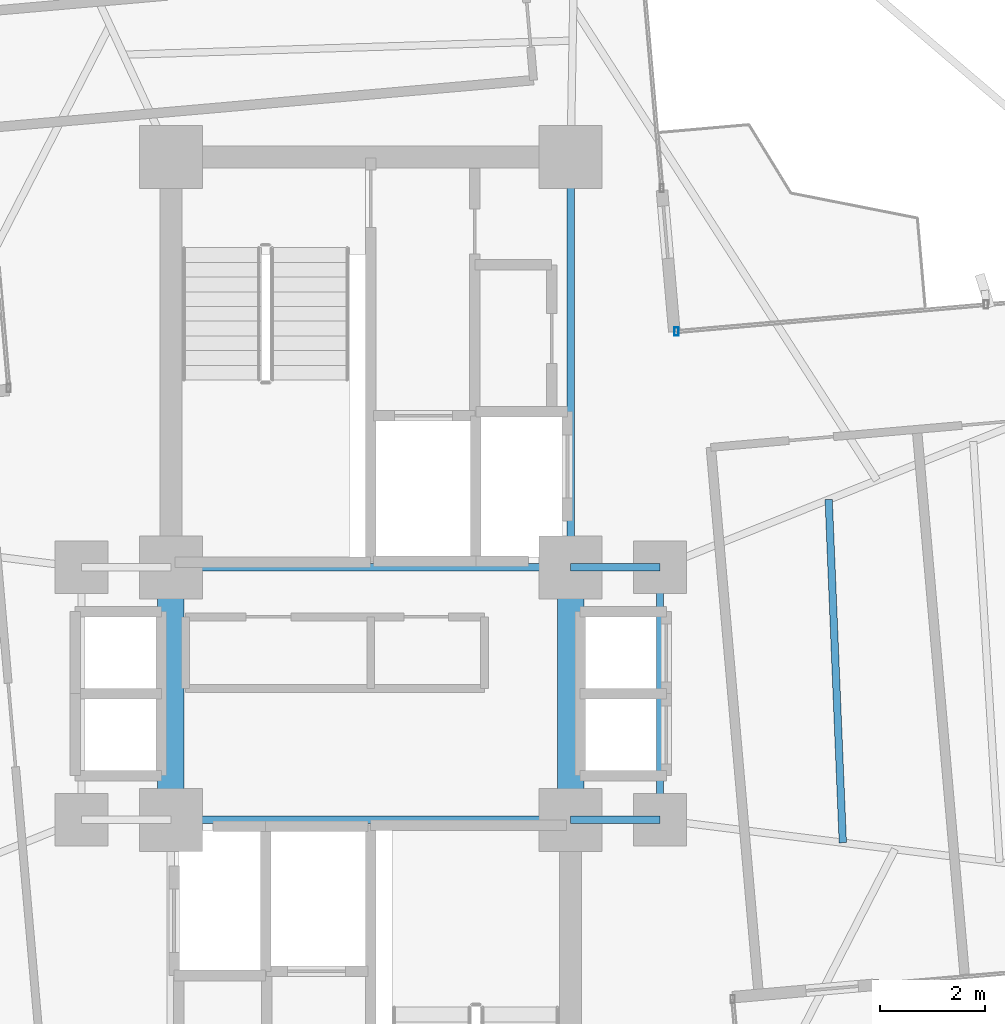
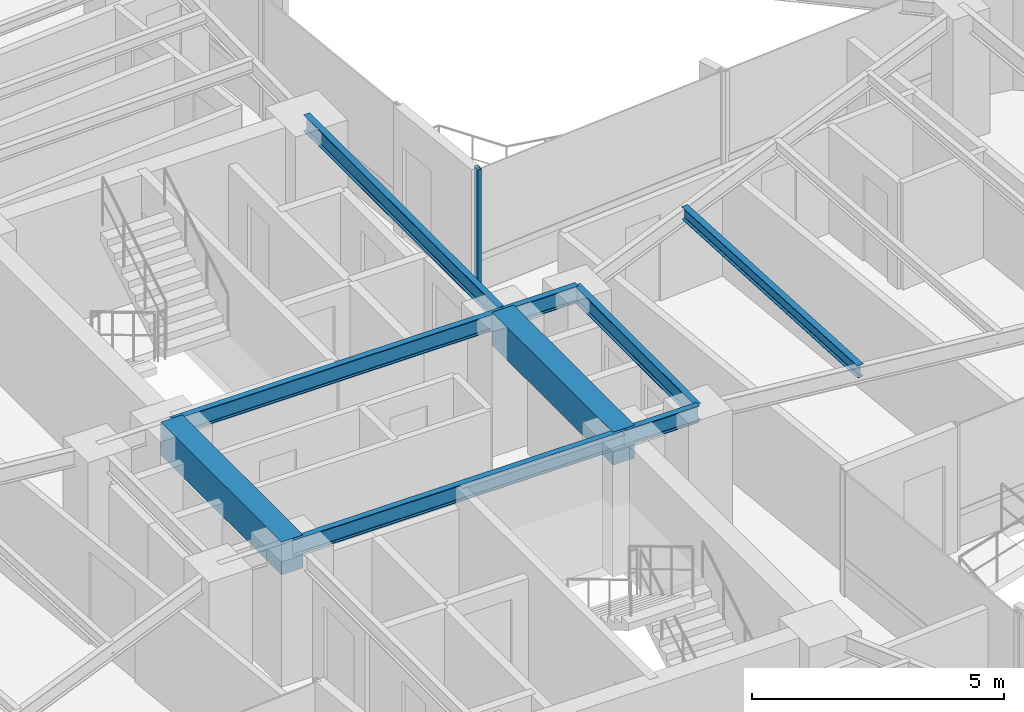
# One storey, part 11 of 24: 9 beams, 1 member, 1 element without a shape of its own.
"""IFC4 building model written with IfcOpenShell, lengths in metres."""

from ifc_helpers import new_model, si_unit, direction, frame, origin, origin_2d, place, context, subcontext, project, spatial, rectangle, hollow_rectangle, i_section, extrude, source, transform, mapped, material, material_profile, profile_set, type_object, element, aggregate, save


model = new_model("IFC4")

# Units and contexts
model_context = context("Model", 3, precision=1e-05, world=origin(), true_north=direction((0.0, 1.0)))
body_context = subcontext(model_context, "Body", "Model", "MODEL_VIEW")
ifc_project = project(units=[si_unit("LENGTHUNIT", "METRE"), si_unit("AREAUNIT", "SQUARE_METRE"), si_unit("VOLUMEUNIT", "CUBIC_METRE"), si_unit("PLANEANGLEUNIT", "RADIAN"), si_unit("MASSUNIT", "GRAM", prefix="KILO")], contexts=[model_context])

# Site, building, storey
site_placement = place(None, origin())
site = spatial("IfcSite", under=ifc_project, at=site_placement, CompositionType="ELEMENT")
building_placement = place(site_placement, origin())
building = spatial("IfcBuilding", under=site, at=building_placement, Name="Sahyath Konkavel Grand Hotel", CompositionType="ELEMENT")
storey_placement = place(building_placement, frame((0.0, 0.0, 198.64990234375)))
storey = spatial("IfcBuildingStorey", under=building, at=storey_placement, Name="L55", CompositionType="ELEMENT", Elevation=198.64990234375)

# Beams
ifc_material_1 = material(Name="Steel E350", Category="steel")
ifc_material_profile_1 = material_profile(ifc_material_1, i_section(OverallWidth=0.139892578125, OverallDepth=0.39990234375, WebThickness=0.0087890625, FlangeThickness=0.01611328125, FilletRadius=0.013916015625, at=origin_2d()), Name="ISMB 400")
ifc_profile_set_1 = profile_set([ifc_material_profile_1], Name="Steel E350")
beam_type_1 = type_object("IfcBeamType", Name="BM-ISMB400", PredefinedType="BEAM", material=ifc_profile_set_1)
shared_shape_1 = source(origin(), body_context, "Body", "SweptSolid", [
    extrude(i_section(OverallWidth=0.139892578125, OverallDepth=0.39990234375, WebThickness=0.0087890625, FlangeThickness=0.01611328125, FilletRadius=0.013916015625, at=origin_2d()), origin(), (0.0, 0.0, 1.0), 7.60009765625),
])
for number, where, z_axis, x_axis, name in (
    (1, (-3.800048828125, 2.39990234375, 2.830078125), (1.0, 0.0, 0.0), (0.0, 1.0, 0.0), "str:bm:L55:NC-S"),
    (2, (-3.800048828125, -2.39990234375, 2.830078125), (1.0, 0.0, 0.0), (0.0, 1.0, 0.0), "str:bm:L55:SC-N"),
):
    element("IfcBeam", number, at=place(storey_placement, frame(where, z_axis=z_axis, x_axis=x_axis)), inside=storey, type_object=beam_type_1, Name=name, PredefinedType="BEAM", context=body_context, shape_type="MappedRepresentation", body=[
        mapped(shared_shape_1, transform((0.0, 0.0, 0.0), scale=1.0)),
    ])
shared_shape_2 = source(origin(), body_context, "Body", "SweptSolid", [
    extrude(i_section(OverallWidth=0.139892578125, OverallDepth=0.39990234375, WebThickness=0.0087890625, FlangeThickness=0.01611328125, FilletRadius=0.013916015625, at=origin_2d()), origin(), (0.0, 0.0, 1.0), 7.800048828125),
])
beam_1_placement = place(storey_placement, frame((3.800048828125, 2.39990234375, 2.830078125), z_axis=(0.0, 1.0, 0.0), x_axis=(-1.0, 0.0, 0.0)))
element("IfcBeam", 3, at=beam_1_placement, inside=storey, type_object=beam_type_1, Name="str:bm:L55:NC-E", PredefinedType="BEAM", context=body_context, shape_type="MappedRepresentation", body=[
    mapped(shared_shape_2, transform((0.0, 0.0, 0.0), scale=1.0)),
])
shared_shape_3 = source(origin(), body_context, "Body", "SweptSolid", [
    extrude(i_section(OverallWidth=0.139892578125, OverallDepth=0.39990234375, WebThickness=0.0087890625, FlangeThickness=0.01611328125, FilletRadius=0.013916015625, at=origin_2d()), origin(), (0.0, 0.0, 1.0), 1.699951171875),
])
for number, where, z_axis, x_axis, name in (
    (4, (3.800048828125, 2.39990234375, 2.830078125), (1.0, 0.0, 0.0), (0.0, 1.0, 0.0), "str:bm:L55:HB-NE"),
    (5, (3.800048828125, -2.39990234375, 2.830078125), (1.0, 0.0, 0.0), (0.0, 1.0, 0.0), "str:bm:L55:HB-SE"),
):
    element("IfcBeam", number, at=place(storey_placement, frame(where, z_axis=z_axis, x_axis=x_axis)), inside=storey, type_object=beam_type_1, Name=name, PredefinedType="BEAM", context=body_context, shape_type="MappedRepresentation", body=[
        mapped(shared_shape_3, transform((0.0, 0.0, 0.0), scale=1.0)),
    ])
shared_shape_4 = source(origin(), body_context, "Body", "SweptSolid", [
    extrude(i_section(OverallWidth=0.139892578125, OverallDepth=0.39990234375, WebThickness=0.0087890625, FlangeThickness=0.01611328125, FilletRadius=0.013916015625, at=origin_2d()), origin(), (0.0, 0.0, 1.0), 4.7998046875),
])
beam_2_placement = place(storey_placement, frame((5.5, -2.39990234375, 2.830078125), z_axis=(0.0, 1.0, 0.0), x_axis=(-1.0, 0.0, 0.0)))
element("IfcBeam", 6, at=beam_2_placement, inside=storey, type_object=beam_type_1, Name="str:bm:L55:HB-E", PredefinedType="BEAM", context=body_context, shape_type="MappedRepresentation", body=[
    mapped(shared_shape_4, transform((0.0, 0.0, 0.0), scale=1.0)),
])
ifc_material_2 = material(Name="Concrete C50/60", Category="concrete")
ifc_material_profile_2 = material_profile(ifc_material_2, rectangle(XDim=0.5, YDim=0.800048828125, at=origin_2d()), Name="RC 500x800")
ifc_profile_set_2 = profile_set([ifc_material_profile_2], Name="Concrete C50/60")
beam_type_2 = type_object("IfcBeamType", Name="BM-CB500x800", PredefinedType="LINTEL", material=ifc_profile_set_2)
shared_shape_5 = source(origin(), body_context, "Body", "SweptSolid", [
    extrude(rectangle(XDim=0.5, YDim=0.800048828125, at=origin_2d()), origin(), (0.0, 0.0, 1.0), 4.7998046875),
])
for number, where, z_axis, x_axis, name in (
    (7, (-3.800048828125, -2.39990234375, 2.630126953125), (0.0, 1.0, 0.0), (-1.0, 0.0, 0.0), "L55 Split-Core Coupling Beam West"),
    (8, (3.800048828125, -2.39990234375, 2.630126953125), (0.0, 1.0, 0.0), (-1.0, 0.0, 0.0), "L55 Split-Core Coupling Beam East"),
):
    element("IfcBeam", number, at=place(storey_placement, frame(where, z_axis=z_axis, x_axis=x_axis)), inside=storey, type_object=beam_type_2, Name=name, PredefinedType="LINTEL", context=body_context, shape_type="MappedRepresentation", body=[
        mapped(shared_shape_5, transform((0.0, 0.0, 0.0), scale=1.0)),
    ])
ifc_material_profile_3 = material_profile(ifc_material_1, i_section(OverallWidth=0.139892578125, OverallDepth=0.300048828125, WebThickness=0.0078125, FlangeThickness=0.01318359375, FilletRadius=0.013916015625, at=origin_2d()), Name="ISMB 300")
ifc_profile_set_3 = profile_set([ifc_material_profile_3], Name="Steel E350")
beam_type_3 = type_object("IfcBeamType", Name="BM-ISMB300", PredefinedType="BEAM", material=ifc_profile_set_3)
shared_shape_6 = source(origin(), body_context, "Body", "SweptSolid", [
    extrude(i_section(OverallWidth=0.139892578125, OverallDepth=0.300048828125, WebThickness=0.0078125, FlangeThickness=0.01318359375, FilletRadius=0.013916015625, at=origin_2d()), origin(), (0.0, 0.0, 1.0), 6.530029296875),
])
beam_3_placement = place(storey_placement, frame((8.9755859375, -2.835205078125, 2.880126953125), z_axis=(-0.04112667768, 0.999153940283, 0.0), x_axis=(-0.999153940283, -0.04112667768, 0.0)))
element("IfcBeam", 9, at=beam_3_placement, inside=storey, type_object=beam_type_3, Name="L55 Secondary Floor Beam E-1", PredefinedType="BEAM", context=body_context, shape_type="MappedRepresentation", body=[
    mapped(shared_shape_6, transform((0.0, 0.0, 0.0), scale=1.0)),
])

# Curtain wall, member
ifc_material_3 = material(Name="Anodised Bronze Aluminium & Low-E Glazing", Category="aluminium")
curtain_wall_type = type_object("IfcCurtainWallType", Name="CW-ZONE3", PredefinedType="NOTDEFINED", material=ifc_material_3)
curtain_wall_placement = place(storey_placement, origin())
curtain_wall = element("IfcCurtainWall", 10, at=curtain_wall_placement, inside=storey, type_object=curtain_wall_type, Name="L55 Unitised Curtain Wall F7", PredefinedType="NOTDEFINED")
ifc_material_4 = material(Name="Anodised Bronze Aluminium", Category="aluminium")
ifc_material_profile_4 = material_profile(ifc_material_4, hollow_rectangle(XDim=0.080078125, YDim=0.159912109375, WallThickness=0.006103515625, at=origin_2d()), Name="RHS 160x80x6")
ifc_profile_set_4 = profile_set([ifc_material_profile_4], Name="Anodised Bronze Aluminium")
member_type = type_object("IfcMemberType", Name="CW-MUL-160", PredefinedType="MULLION", material=ifc_profile_set_4)
shared_shape_7 = source(origin(), body_context, "Body", "SweptSolid", [
    extrude(hollow_rectangle(XDim=0.080078125, YDim=0.159912109375, WallThickness=0.006103515625, at=origin_2d()), origin(), (0.0, 0.0, 1.0), 3.030029296875),
])
member_placement = place(storey_placement, frame((5.812255859375, 6.8828125, 0.0), z_axis=(0.0, 0.0, 1.0), x_axis=(1.0, 0.0, 0.0)))
member = element("IfcMember", 11, at=member_placement, type_object=member_type, Name="L55 Curtain Wall Mullion F7-2", PredefinedType="MULLION", context=body_context, shape_type="MappedRepresentation", body=[
    mapped(shared_shape_7, transform((0.0, 0.0, 0.0), scale=1.0)),
])
aggregate(curtain_wall, [member])

save(model, "model.ifc")
